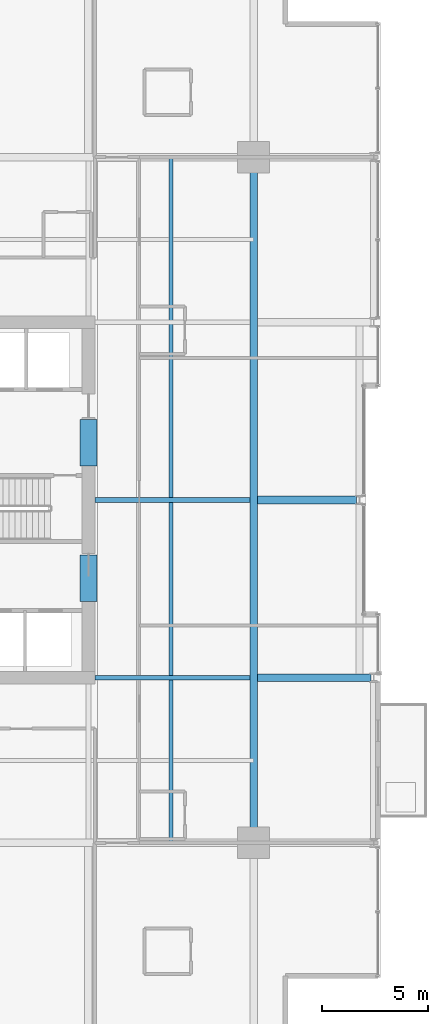
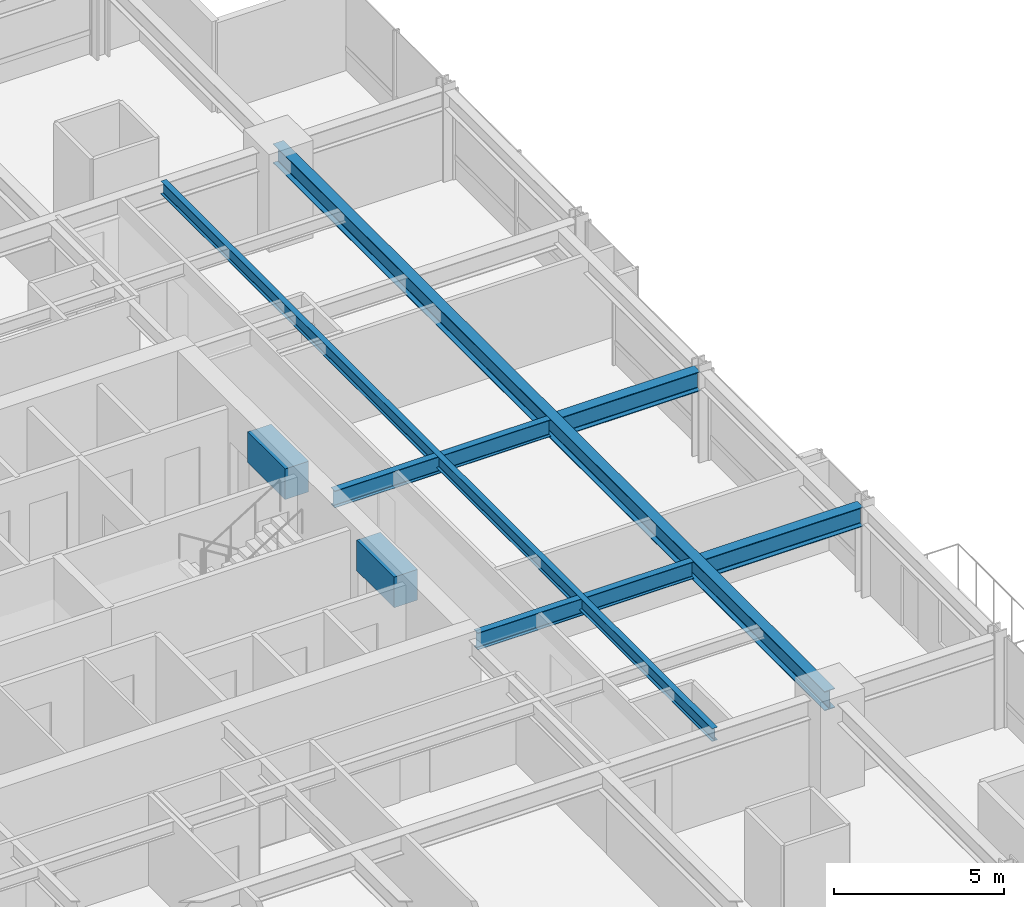
# One storey, part 14 of 33: 8 beams.
"""IFC4 building model written with IfcOpenShell, lengths in metres."""

from ifc_helpers import new_model, si_unit, direction, frame, origin, origin_2d, place, context, subcontext, project, spatial, rectangle, i_section, extrude, material, material_profile, profile_set, type_object, element, save


model = new_model("IFC4")

# Units and contexts
model_context = context("Model", 3, precision=1e-05, world=origin(), true_north=direction((0.0, 1.0)))
body_context = subcontext(model_context, "Body", "Model", "MODEL_VIEW")
ifc_project = project(units=[si_unit("LENGTHUNIT", "METRE"), si_unit("AREAUNIT", "SQUARE_METRE"), si_unit("VOLUMEUNIT", "CUBIC_METRE"), si_unit("PLANEANGLEUNIT", "RADIAN"), si_unit("MASSUNIT", "GRAM", prefix="KILO")], contexts=[model_context])

# Site, building, storey
site_placement = place(None, origin())
site = spatial("IfcSite", under=ifc_project, at=site_placement, CompositionType="ELEMENT")
building_placement = place(site_placement, origin())
building = spatial("IfcBuilding", under=site, at=building_placement, Name="Drelvath Grand Hotel", CompositionType="ELEMENT")
storey_placement = place(building_placement, frame((0.0, 0.0, 119.800048828125)))
storey = spatial("IfcBuildingStorey", under=building, at=storey_placement, Name="L30", CompositionType="ELEMENT", Elevation=119.800048828125)

# Beams
ifc_material_1 = material(Name="Steel ASTM A992 Gr 50", Category="steel")
ifc_material_profile_1 = material_profile(ifc_material_1, i_section(OverallWidth=0.19140625, OverallDepth=0.4599609375, WebThickness=0.010009765625, FlangeThickness=0.01611328125, FilletRadius=0.01611328125, at=origin_2d()), Name="W18X55")
ifc_profile_set_1 = profile_set([ifc_material_profile_1], Name="Steel ASTM A992 Gr 50")
beam_type_1 = type_object("IfcBeamType", Name="Composite Floor Joist W18X55", PredefinedType="JOIST", material=ifc_profile_set_1)
beam_1_placement = place(storey_placement, frame((12.300048828125, 10.800048828125, 3.010009765625), z_axis=(0.0, 1.0, 0.0), x_axis=(-1.0, 0.0, 0.0)))
element("IfcBeam", 1, at=beam_1_placement, inside=storey, type_object=beam_type_1, Name="L30 Wing Floor Joist J4", PredefinedType="JOIST", context=body_context, shape_type="SweptSolid", body=[
    extrude(i_section(OverallWidth=0.19140625, OverallDepth=0.4599609375, WebThickness=0.010009765625, FlangeThickness=0.01611328125, FilletRadius=0.01611328125, at=origin_2d()), origin(), (0.0, 0.0, 1.0), 32.39990234375),
])
ifc_material_2 = material(Name="Concrete f'c 70 MPa", Category="concrete")
ifc_material_profile_2 = material_profile(ifc_material_2, rectangle(XDim=0.800048828125, YDim=1.10009765625, at=origin_2d()), Name="CB800X1100")
ifc_profile_set_2 = profile_set([ifc_material_profile_2], Name="Concrete f'c 70 MPa")
beam_type_2 = type_object("IfcBeamType", Name="Core Coupling Lintel CB800X1100", PredefinedType="LINTEL", material=ifc_profile_set_2)
for number, where, z_axis, x_axis, name in (
    (2, (8.39990234375, 22.199951171875, 2.68994140625), (0.0, 1.0, 0.0), (-1.0, 0.0, 0.0), "L30 Core Coupling Lintel ES"),
    (3, (8.39990234375, 28.60009765625, 2.68994140625), (0.0, 1.0, 0.0), (-1.0, 0.0, 0.0), "L30 Core Coupling Lintel EN"),
):
    element("IfcBeam", number, at=place(storey_placement, frame(where, z_axis=z_axis, x_axis=x_axis)), inside=storey, type_object=beam_type_2, Name=name, PredefinedType="LINTEL", context=body_context, shape_type="SweptSolid", body=[
        extrude(rectangle(XDim=0.800048828125, YDim=1.10009765625, at=origin_2d()), origin(), (0.0, 0.0, 1.0), 2.199951171875),
    ])
ifc_material_profile_3 = material_profile(ifc_material_1, i_section(OverallWidth=0.228271484375, OverallDepth=0.607666015625, WebThickness=0.01123046875, FlangeThickness=0.017333984375, FilletRadius=0.02001953125, at=origin_2d()), Name="W24X76")
ifc_profile_set_3 = profile_set([ifc_material_profile_3], Name="Steel ASTM A992 Gr 50")
beam_type_3 = type_object("IfcBeamType", Name="Primary Floor Girder W24X76", PredefinedType="BEAM", material=ifc_profile_set_3)
for number, where, z_axis, x_axis, name in (
    (4, (8.699951171875, 18.60009765625, 2.93603515625), (1.0, 0.0, 0.0), (0.0, 1.0, 0.0), "L30 East Core Tie D"),
    (5, (8.699951171875, 27.0, 2.93603515625), (1.0, 0.0, 0.0), (0.0, 1.0, 0.0), "L30 East Core Tie E"),
):
    element("IfcBeam", number, at=place(storey_placement, frame(where, z_axis=z_axis, x_axis=x_axis)), inside=storey, type_object=beam_type_3, Name=name, PredefinedType="BEAM", context=body_context, shape_type="SweptSolid", body=[
        extrude(i_section(OverallWidth=0.228271484375, OverallDepth=0.607666015625, WebThickness=0.01123046875, FlangeThickness=0.017333984375, FilletRadius=0.02001953125, at=origin_2d()), origin(), (0.0, 0.0, 1.0), 7.32275390625),
    ])
ifc_material_profile_4 = material_profile(ifc_material_1, i_section(OverallWidth=0.354736328125, OverallDepth=0.695556640625, WebThickness=0.015380859375, FlangeThickness=0.025146484375, FilletRadius=0.02392578125, at=origin_2d()), Name="W27X146")
ifc_profile_set_4 = profile_set([ifc_material_profile_4], Name="Steel ASTM A992 Gr 50")
beam_type_4 = type_object("IfcBeamType", Name="Primary Floor Girder W27X146", PredefinedType="BEAM", material=ifc_profile_set_4)
beam_2_placement = place(storey_placement, frame((16.199951171875, 10.800048828125, 2.892333984375), z_axis=(0.0, 1.0, 0.0), x_axis=(-1.0, 0.0, 0.0)))
element("IfcBeam", 6, at=beam_2_placement, inside=storey, type_object=beam_type_4, Name="L30 Mega Ring Girder East", PredefinedType="BEAM", context=body_context, shape_type="SweptSolid", body=[
    extrude(i_section(OverallWidth=0.354736328125, OverallDepth=0.695556640625, WebThickness=0.015380859375, FlangeThickness=0.025146484375, FilletRadius=0.02392578125, at=origin_2d()), origin(), (0.0, 0.0, 1.0), 32.39990234375),
])
beam_3_placement = place(storey_placement, frame((16.37744140625, 18.60009765625, 2.892333984375), z_axis=(1.0, 0.0, 0.0), x_axis=(0.0, 1.0, 0.0)))
element("IfcBeam", 7, at=beam_3_placement, inside=storey, type_object=beam_type_4, Name="L30 East Wing Girder D", PredefinedType="BEAM", context=body_context, shape_type="SweptSolid", body=[
    extrude(i_section(OverallWidth=0.354736328125, OverallDepth=0.695556640625, WebThickness=0.015380859375, FlangeThickness=0.025146484375, FilletRadius=0.02392578125, at=origin_2d()), origin(), (0.0, 0.0, 1.0), 5.362548828125),
])
beam_4_placement = place(storey_placement, frame((16.37744140625, 27.0, 2.892333984375), z_axis=(1.0, 0.0, 0.0), x_axis=(0.0, 1.0, 0.0)))
element("IfcBeam", 8, at=beam_4_placement, inside=storey, type_object=beam_type_4, Name="L30 East Wing Girder E", PredefinedType="BEAM", context=body_context, shape_type="SweptSolid", body=[
    extrude(i_section(OverallWidth=0.354736328125, OverallDepth=0.695556640625, WebThickness=0.015380859375, FlangeThickness=0.025146484375, FilletRadius=0.02392578125, at=origin_2d()), origin(), (0.0, 0.0, 1.0), 4.6826171875),
])

save(model, "model.ifc")
